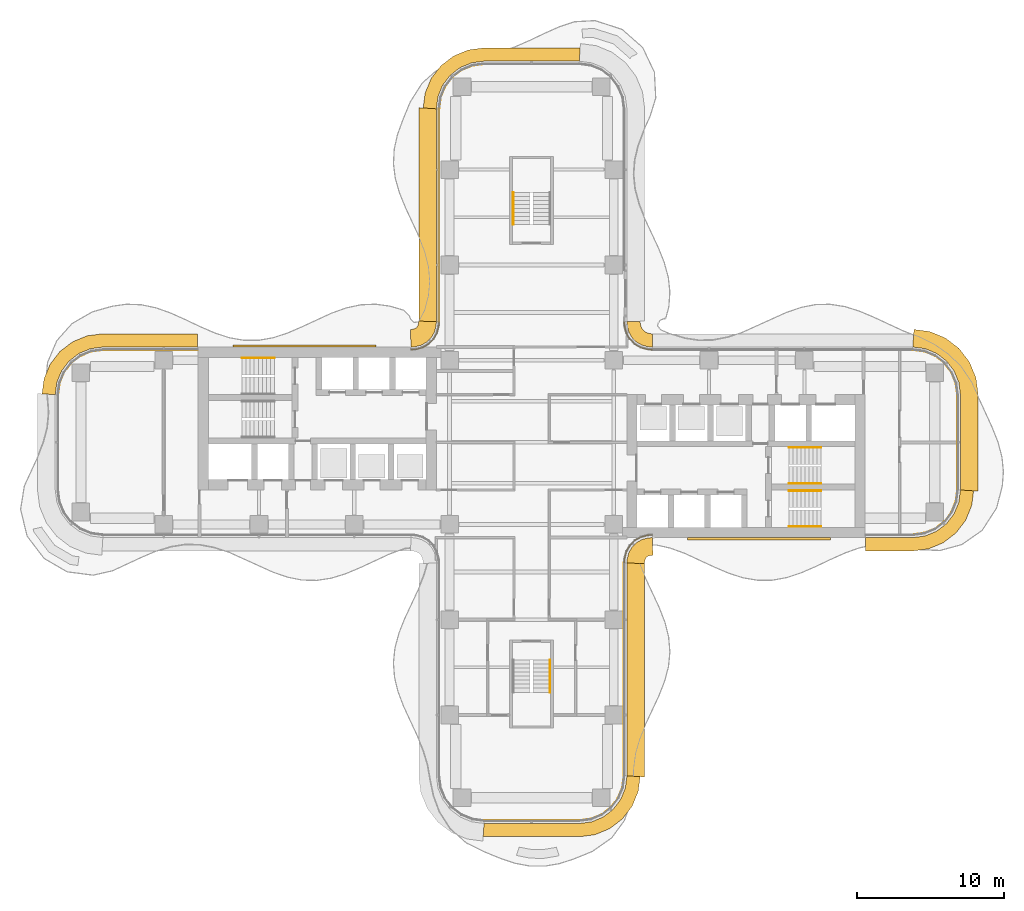
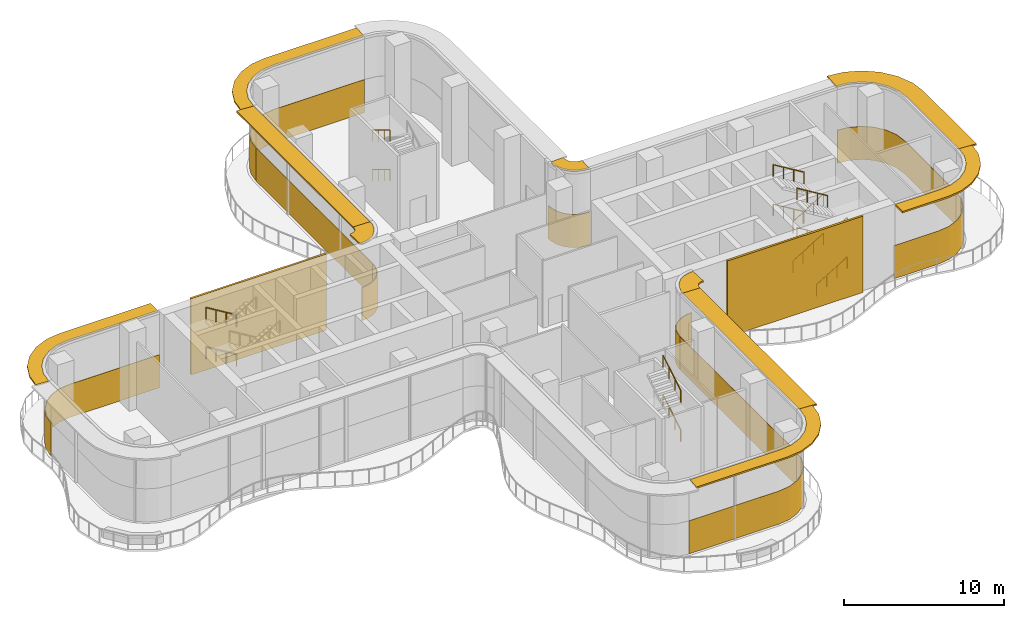
# One storey, part 17 of 19: 14 railings, 12 coverings, 10 shading devices, 10 elements without a shape of their own.
"""IFC4 building model written with IfcOpenShell, lengths in metres."""

from ifc_helpers import new_model, si_unit, direction, frame, origin, origin_2d, place, context, subcontext, project, spatial, polyline, circle, outline, extrude, source, transform, mapped, material, layer, layer_set, type_object, element, aggregate, save


model = new_model("IFC4")

# Units and contexts
model_context = context("Model", 3, precision=1e-05, world=origin(), true_north=direction((0.0, 1.0)))
body_context = subcontext(model_context, "Body", "Model", "MODEL_VIEW")
ifc_project = project(units=[si_unit("LENGTHUNIT", "METRE"), si_unit("AREAUNIT", "SQUARE_METRE"), si_unit("VOLUMEUNIT", "CUBIC_METRE"), si_unit("PLANEANGLEUNIT", "RADIAN"), si_unit("MASSUNIT", "GRAM", prefix="KILO")], contexts=[model_context])

# Site, building, storey
site_placement = place(None, origin())
site = spatial("IfcSite", under=ifc_project, at=site_placement, CompositionType="ELEMENT")
building_placement = place(site_placement, origin())
building = spatial("IfcBuilding", under=site, at=building_placement, Name="Trellis Farm Tower", CompositionType="ELEMENT")
storey_placement = place(building_placement, frame((0.0, 0.0, 156.0)))
storey = spatial("IfcBuildingStorey", under=building, at=storey_placement, Name="L33", CompositionType="ELEMENT", Elevation=156.0)

# Coverings
ifc_material_1 = material(Name="Perforated precast screen (cobogo)", Category="concrete")
ifc_layer_1 = layer(ifc_material_1, 0.14990234375)
ifc_layer_set_1 = layer_set([ifc_layer_1], Name="COBOGO SCREEN PANEL")
covering_type_1 = type_object("IfcCoveringType", Name="COBOGO SCREEN PANEL", PredefinedType="USERDEFINED", material=ifc_layer_set_1)
placement_1 = place(storey_placement, origin())
element("IfcCovering", 1, at=placement_1, inside=storey, type_object=covering_type_1, Name="SC1 01", ObjectType="SCREEN", PredefinedType="USERDEFINED", context=body_context, shape_type="SweptSolid", body=[
    extrude(outline(polyline([(10.630615234375, -6.64990234375), (20.380615234375, -6.64990234375), (20.380615234375, -6.5), (10.630615234375, -6.5), (10.630615234375, -6.64990234375)])), origin(), (0.0, 0.0, 1.0), 5.800048828125),
])
element("IfcCovering", 2, at=placement_1, inside=storey, type_object=covering_type_1, Name="SC1 02", ObjectType="SCREEN", PredefinedType="USERDEFINED", context=body_context, shape_type="SweptSolid", body=[
    extrude(outline(polyline([(-10.630615234375, 6.64990234375), (-20.380615234375, 6.64990234375), (-20.380615234375, 6.5), (-10.630615234375, 6.5), (-10.630615234375, 6.64990234375)])), origin(), (0.0, 0.0, 1.0), 5.800048828125),
])

# Curtain wall, covering
ifc_material_2 = material(Name="Aluminium and glass curtain wall", Category="aluminium")
ifc_layer_2 = layer(ifc_material_2, 0.196044921875)
ifc_layer_set_2 = layer_set([ifc_layer_2], Name="LOUVRED GLASS CURTAIN WALL CW6")
curtain_wall_type = type_object("IfcCurtainWallType", Name="LOUVRED GLASS CURTAIN WALL CW6", PredefinedType="NOTDEFINED", material=ifc_layer_set_2)
curtain_wall_1 = element("IfcCurtainWall", 3, at=placement_1, inside=storey, type_object=curtain_wall_type, Name="CW6 004", PredefinedType="NOTDEFINED")
ifc_material_3 = material(Name="Anodised aluminium louvre", Category="aluminium")
ifc_layer_3 = layer(ifc_material_3, 0.050048828125)
ifc_layer_set_3 = layer_set([ifc_layer_3], Name="CW6 LOUVRE BANK 50")
covering_type_2 = type_object("IfcCoveringType", Name="CW6 LOUVRE BANK 50", PredefinedType="USERDEFINED", material=ifc_layer_set_3)
covering_3 = element("IfcCovering", 4, at=placement_1, type_object=covering_type_2, Name="LV1 004", ObjectType="LOUVRE", PredefinedType="USERDEFINED", context=body_context, shape_type="SweptSolid", body=[
    extrude(outline(polyline([(-3.239501953125, -25.840087890625), (3.239501953125, -25.840087890625), (4.04931640625, -25.7333984375), (4.794189453125, -25.4248046875), (5.43408203125, -24.93408203125), (5.9248046875, -24.294189453125), (6.2333984375, -23.54931640625), (6.340087890625, -22.739501953125), (6.2900390625, -22.736328125), (6.1845703125, -23.536376953125), (5.881103515625, -24.26904296875), (5.3984375, -24.8984375), (4.76904296875, -25.381103515625), (4.036376953125, -25.6845703125), (3.236328125, -25.7900390625), (-3.236328125, -25.7900390625), (-3.239501953125, -25.840087890625)])), origin(), (0.0, 0.0, 1.0), 2.52001953125),
])
aggregate(curtain_wall_1, [covering_3])

curtain_wall_2 = element("IfcCurtainWall", 5, at=placement_1, inside=storey, type_object=curtain_wall_type, Name="CW6 005", PredefinedType="NOTDEFINED")
covering_4 = element("IfcCovering", 6, at=placement_1, type_object=covering_type_2, Name="LV1 005", ObjectType="LOUVRE", PredefinedType="USERDEFINED", context=body_context, shape_type="SweptSolid", body=[
    extrude(outline(polyline([(6.340087890625, -22.739501953125), (6.340087890625, -8.22607421875), (6.2900390625, -8.224609375), (6.2900390625, -22.736328125), (6.340087890625, -22.739501953125)])), origin(), (0.0, 0.0, 1.0), 2.52001953125),
])
aggregate(curtain_wall_2, [covering_4])

curtain_wall_3 = element("IfcCurtainWall", 7, at=placement_1, inside=storey, type_object=curtain_wall_type, Name="CW6 006", PredefinedType="NOTDEFINED")
covering_5 = element("IfcCovering", 8, at=placement_1, type_object=covering_type_2, Name="LV1 006", ObjectType="LOUVRE", PredefinedType="USERDEFINED", context=body_context, shape_type="SweptSolid", body=[
    extrude(outline(polyline([(6.340087890625, -8.22607421875), (6.3544921875, -8.00390625), (6.370361328125, -7.88427734375), (6.487548828125, -7.44677734375), (6.718994140625, -7.046142578125), (7.046142578125, -6.718994140625), (7.44677734375, -6.487548828125), (7.88427734375, -6.370361328125), (8.00390625, -6.3544921875), (8.22607421875, -6.340087890625), (8.224609375, -6.2900390625), (7.9990234375, -6.3046875), (7.87451171875, -6.321044921875), (7.427490234375, -6.44091796875), (7.015380859375, -6.678955078125), (6.678955078125, -7.015380859375), (6.44091796875, -7.427490234375), (6.321044921875, -7.87451171875), (6.3046875, -7.9990234375), (6.2900390625, -8.224609375), (6.340087890625, -8.22607421875)])), origin(), (0.0, 0.0, 1.0), 2.52001953125),
])
aggregate(curtain_wall_3, [covering_5])

curtain_wall_4 = element("IfcCurtainWall", 9, at=placement_1, inside=storey, type_object=curtain_wall_type, Name="CW6 007", PredefinedType="NOTDEFINED")
covering_6 = element("IfcCovering", 10, at=placement_1, type_object=covering_type_2, Name="LV1 007", ObjectType="LOUVRE", PredefinedType="USERDEFINED", context=body_context, shape_type="SweptSolid", body=[
    extrude(outline(polyline([(22.780029296875, -6.340087890625), (25.989501953125, -6.340087890625), (26.79931640625, -6.2333984375), (27.544189453125, -5.9248046875), (28.18408203125, -5.43408203125), (28.6748046875, -4.794189453125), (28.9833984375, -4.04931640625), (29.090087890625, -3.239501953125), (29.0400390625, -3.236328125), (28.9345703125, -4.036376953125), (28.631103515625, -4.76904296875), (28.1484375, -5.3984375), (27.51904296875, -5.881103515625), (26.786376953125, -6.1845703125), (25.986328125, -6.2900390625), (22.780029296875, -6.2900390625), (22.780029296875, -6.340087890625)])), origin(), (0.0, 0.0, 1.0), 2.52001953125),
])
aggregate(curtain_wall_4, [covering_6])

curtain_wall_5 = element("IfcCurtainWall", 11, at=placement_1, inside=storey, type_object=curtain_wall_type, Name="CW6 008", PredefinedType="NOTDEFINED")
covering_7 = element("IfcCovering", 12, at=placement_1, type_object=covering_type_2, Name="LV1 008", ObjectType="LOUVRE", PredefinedType="USERDEFINED", context=body_context, shape_type="SweptSolid", body=[
    extrude(outline(polyline([(29.090087890625, -3.239501953125), (29.090087890625, 3.239501953125), (28.9833984375, 4.04931640625), (28.6748046875, 4.794189453125), (28.18408203125, 5.43408203125), (27.544189453125, 5.9248046875), (26.79931640625, 6.2333984375), (25.989501953125, 6.340087890625), (25.986328125, 6.2900390625), (26.786376953125, 6.1845703125), (27.51904296875, 5.881103515625), (28.1484375, 5.3984375), (28.631103515625, 4.76904296875), (28.9345703125, 4.036376953125), (29.0400390625, 3.236328125), (29.0400390625, -3.236328125), (29.090087890625, -3.239501953125)])), origin(), (0.0, 0.0, 1.0), 2.52001953125),
])
aggregate(curtain_wall_5, [covering_7])

curtain_wall_6 = element("IfcCurtainWall", 13, at=placement_1, inside=storey, type_object=curtain_wall_type, Name="CW6 010", PredefinedType="NOTDEFINED")
covering_8 = element("IfcCovering", 14, at=placement_1, type_object=covering_type_2, Name="LV1 010", ObjectType="LOUVRE", PredefinedType="USERDEFINED", context=body_context, shape_type="SweptSolid", body=[
    extrude(outline(polyline([(8.22607421875, 6.340087890625), (8.00390625, 6.3544921875), (7.88427734375, 6.370361328125), (7.44677734375, 6.487548828125), (7.046142578125, 6.718994140625), (6.718994140625, 7.046142578125), (6.487548828125, 7.44677734375), (6.370361328125, 7.88427734375), (6.3544921875, 8.00390625), (6.340087890625, 8.22607421875), (6.2900390625, 8.224609375), (6.3046875, 7.9990234375), (6.321044921875, 7.87451171875), (6.44091796875, 7.427490234375), (6.678955078125, 7.015380859375), (7.015380859375, 6.678955078125), (7.427490234375, 6.44091796875), (7.87451171875, 6.321044921875), (7.9990234375, 6.3046875), (8.224609375, 6.2900390625), (8.22607421875, 6.340087890625)])), origin(), (0.0, 0.0, 1.0), 2.52001953125),
])
aggregate(curtain_wall_6, [covering_8])

curtain_wall_7 = element("IfcCurtainWall", 15, at=placement_1, inside=storey, type_object=curtain_wall_type, Name="CW6 013", PredefinedType="NOTDEFINED")
covering_9 = element("IfcCovering", 16, at=placement_1, type_object=covering_type_2, Name="LV1 013", ObjectType="LOUVRE", PredefinedType="USERDEFINED", context=body_context, shape_type="SweptSolid", body=[
    extrude(outline(polyline([(3.239501953125, 25.840087890625), (-3.239501953125, 25.840087890625), (-4.04931640625, 25.7333984375), (-4.794189453125, 25.4248046875), (-5.43408203125, 24.93408203125), (-5.9248046875, 24.294189453125), (-6.2333984375, 23.54931640625), (-6.340087890625, 22.739501953125), (-6.2900390625, 22.736328125), (-6.1845703125, 23.536376953125), (-5.881103515625, 24.26904296875), (-5.3984375, 24.8984375), (-4.76904296875, 25.381103515625), (-4.036376953125, 25.6845703125), (-3.236328125, 25.7900390625), (3.236328125, 25.7900390625), (3.239501953125, 25.840087890625)])), origin(), (0.0, 0.0, 1.0), 2.52001953125),
])
aggregate(curtain_wall_7, [covering_9])

curtain_wall_8 = element("IfcCurtainWall", 17, at=placement_1, inside=storey, type_object=curtain_wall_type, Name="CW6 014", PredefinedType="NOTDEFINED")
covering_10 = element("IfcCovering", 18, at=placement_1, type_object=covering_type_2, Name="LV1 014", ObjectType="LOUVRE", PredefinedType="USERDEFINED", context=body_context, shape_type="SweptSolid", body=[
    extrude(outline(polyline([(-6.340087890625, 22.739501953125), (-6.340087890625, 8.22607421875), (-6.2900390625, 8.224609375), (-6.2900390625, 22.736328125), (-6.340087890625, 22.739501953125)])), origin(), (0.0, 0.0, 1.0), 2.52001953125),
])
aggregate(curtain_wall_8, [covering_10])

curtain_wall_9 = element("IfcCurtainWall", 19, at=placement_1, inside=storey, type_object=curtain_wall_type, Name="CW6 015", PredefinedType="NOTDEFINED")
covering_11 = element("IfcCovering", 20, at=placement_1, type_object=covering_type_2, Name="LV1 015", ObjectType="LOUVRE", PredefinedType="USERDEFINED", context=body_context, shape_type="SweptSolid", body=[
    extrude(outline(polyline([(-6.340087890625, 8.22607421875), (-6.3544921875, 8.00390625), (-6.370361328125, 7.88427734375), (-6.487548828125, 7.44677734375), (-6.718994140625, 7.046142578125), (-7.046142578125, 6.718994140625), (-7.44677734375, 6.487548828125), (-7.88427734375, 6.370361328125), (-8.00390625, 6.3544921875), (-8.22607421875, 6.340087890625), (-8.224609375, 6.2900390625), (-7.9990234375, 6.3046875), (-7.87451171875, 6.321044921875), (-7.427490234375, 6.44091796875), (-7.015380859375, 6.678955078125), (-6.678955078125, 7.015380859375), (-6.44091796875, 7.427490234375), (-6.321044921875, 7.87451171875), (-6.3046875, 7.9990234375), (-6.2900390625, 8.224609375), (-6.340087890625, 8.22607421875)])), origin(), (0.0, 0.0, 1.0), 2.52001953125),
])
aggregate(curtain_wall_9, [covering_11])

curtain_wall_10 = element("IfcCurtainWall", 21, at=placement_1, inside=storey, type_object=curtain_wall_type, Name="CW6 016", PredefinedType="NOTDEFINED")
covering_12 = element("IfcCovering", 22, at=placement_1, type_object=covering_type_2, Name="LV1 016", ObjectType="LOUVRE", PredefinedType="USERDEFINED", context=body_context, shape_type="SweptSolid", body=[
    extrude(outline(polyline([(-22.780029296875, 6.340087890625), (-29.239501953125, 6.340087890625), (-30.04931640625, 6.2333984375), (-30.794189453125, 5.9248046875), (-31.43408203125, 5.43408203125), (-31.9248046875, 4.794189453125), (-32.2333984375, 4.04931640625), (-32.340087890625, 3.239501953125), (-32.2900390625, 3.236328125), (-32.1845703125, 4.036376953125), (-31.881103515625, 4.76904296875), (-31.3984375, 5.3984375), (-30.76904296875, 5.881103515625), (-30.036376953125, 6.1845703125), (-29.236328125, 6.2900390625), (-22.780029296875, 6.2900390625), (-22.780029296875, 6.340087890625)])), origin(), (0.0, 0.0, 1.0), 2.52001953125),
])
aggregate(curtain_wall_10, [covering_12])

# Railings
ifc_material_4 = material(Name="Stainless steel", Category="steel")
railing_type = type_object("IfcRailingType", Name="STAIR HANDRAIL 900", PredefinedType="HANDRAIL", material=ifc_material_4)
shared_shape_1 = source(origin(), body_context, "Body", "SweptSolid", [
    extrude(circle(Radius=0.02392578125, at=origin_2d()), frame((0.0, 0.0, 0.8759765625), z_axis=(0.0, 0.85520675485, 0.518286992369), x_axis=(-1.0, 0.0, 0.0)), (0.0, 0.0, 1.0), 2.572509765625),
    extrude(circle(Radius=0.02099609375, at=origin_2d()), origin(), (0.0, 0.0, 1.0), 0.851806640625),
    extrude(circle(Radius=0.02099609375, at=origin_2d()), frame((0.0, 0.7333984375, 0.4443359375)), (0.0, 0.0, 1.0), 0.851806640625),
    extrude(circle(Radius=0.02099609375, at=origin_2d()), frame((0.0, 1.466552734375, 0.888916015625)), (0.0, 0.0, 1.0), 0.851806640625),
    extrude(circle(Radius=0.02099609375, at=origin_2d()), frame((0.0, 2.199951171875, 1.333251953125)), (0.0, 0.0, 1.0), 0.851806640625),
])
for number, where, name in (
    (23, (1.25, -17.050048828125, 1.666748046875), "Stair handrail"),
    (24, (1.25, -17.050048828125, 4.666748046875), "Stair handrail"),
):
    element("IfcRailing", number, at=place(storey_placement, frame(where)), inside=storey, type_object=railing_type, Name=name, PredefinedType="HANDRAIL", context=body_context, shape_type="MappedRepresentation", body=[
        mapped(shared_shape_1, transform((0.0, 0.0, 0.0))),
    ])
shared_shape_2 = source(origin(), body_context, "Body", "SweptSolid", [
    extrude(circle(Radius=0.02392578125, at=origin_2d()), frame((0.0, 0.0, 0.8759765625), z_axis=(0.0, -0.85520675485, 0.518286992369), x_axis=(1.0, 0.0, 0.0)), (0.0, 0.0, 1.0), 2.572509765625),
    extrude(circle(Radius=0.02099609375, at=origin_2d()), origin(), (0.0, 0.0, 1.0), 0.851806640625),
    extrude(circle(Radius=0.02099609375, at=origin_2d()), frame((0.0, -0.7333984375, 0.4443359375)), (0.0, 0.0, 1.0), 0.851806640625),
    extrude(circle(Radius=0.02099609375, at=origin_2d()), frame((0.0, -1.466552734375, 0.888916015625)), (0.0, 0.0, 1.0), 0.851806640625),
    extrude(circle(Radius=0.02099609375, at=origin_2d()), frame((0.0, -2.199951171875, 1.333251953125)), (0.0, 0.0, 1.0), 0.851806640625),
])
for number, where, name in (
    (25, (-1.25, 17.050048828125, 1.666748046875), "Stair handrail"),
    (26, (-1.25, 17.050048828125, 4.666748046875), "Stair handrail"),
):
    element("IfcRailing", number, at=place(storey_placement, frame(where)), inside=storey, type_object=railing_type, Name=name, PredefinedType="HANDRAIL", context=body_context, shape_type="MappedRepresentation", body=[
        mapped(shared_shape_2, transform((0.0, 0.0, 0.0))),
    ])
shared_shape_3 = source(origin(), body_context, "Body", "SweptSolid", [
    extrude(circle(Radius=0.02392578125, at=origin_2d()), frame((0.0, 0.0, 0.8759765625), z_axis=(0.85520675485, 0.0, 0.518286992369), x_axis=(0.0, 1.0, 0.0)), (0.0, 0.0, 1.0), 2.572509765625),
    extrude(circle(Radius=0.02099609375, at=origin_2d()), origin(), (0.0, 0.0, 1.0), 0.851806640625),
    extrude(circle(Radius=0.02099609375, at=origin_2d()), frame((0.7333984375, 0.0, 0.4443359375)), (0.0, 0.0, 1.0), 0.851806640625),
    extrude(circle(Radius=0.02099609375, at=origin_2d()), frame((1.466552734375, 0.0, 0.888916015625)), (0.0, 0.0, 1.0), 0.851806640625),
    extrude(circle(Radius=0.02099609375, at=origin_2d()), frame((2.199951171875, 0.0, 1.333251953125)), (0.0, 0.0, 1.0), 0.851806640625),
])
for number, where, name in (
    (27, (17.550048828125, -5.75, 0.166748046875), "Stair handrail"),
    (28, (17.550048828125, -5.75, 3.166748046875), "Stair handrail"),
    (29, (17.550048828125, -2.800048828125, 0.166748046875), "Stair handrail"),
    (30, (17.550048828125, -2.800048828125, 3.166748046875), "Stair handrail"),
):
    element("IfcRailing", number, at=place(storey_placement, frame(where)), inside=storey, type_object=railing_type, Name=name, PredefinedType="HANDRAIL", context=body_context, shape_type="MappedRepresentation", body=[
        mapped(shared_shape_3, transform((0.0, 0.0, 0.0))),
    ])
shared_shape_4 = source(origin(), body_context, "Body", "SweptSolid", [
    extrude(circle(Radius=0.02392578125, at=origin_2d()), frame((0.0, 0.0, 0.8759765625), z_axis=(-0.85520675485, 0.0, 0.518286992369), x_axis=(0.0, -1.0, 0.0)), (0.0, 0.0, 1.0), 2.572509765625),
    extrude(circle(Radius=0.02099609375, at=origin_2d()), origin(), (0.0, 0.0, 1.0), 0.851806640625),
    extrude(circle(Radius=0.02099609375, at=origin_2d()), frame((-0.7333984375, 0.0, 0.4443359375)), (0.0, 0.0, 1.0), 0.851806640625),
    extrude(circle(Radius=0.02099609375, at=origin_2d()), frame((-1.466552734375, 0.0, 0.888916015625)), (0.0, 0.0, 1.0), 0.851806640625),
    extrude(circle(Radius=0.02099609375, at=origin_2d()), frame((-2.199951171875, 0.0, 1.333251953125)), (0.0, 0.0, 1.0), 0.851806640625),
])
for number, where, name in (
    (31, (19.75, -3.300048828125, 1.666748046875), "Stair handrail"),
    (32, (19.75, -3.300048828125, 4.666748046875), "Stair handrail"),
    (33, (19.75, -0.35009765625, 1.666748046875), "Stair handrail"),
    (34, (19.75, -0.35009765625, 4.666748046875), "Stair handrail"),
    (35, (-17.550048828125, 5.75, 0.166748046875), "Stair handrail"),
    (36, (-17.550048828125, 5.75, 3.166748046875), "Stair handrail"),
):
    element("IfcRailing", number, at=place(storey_placement, frame(where)), inside=storey, type_object=railing_type, Name=name, PredefinedType="HANDRAIL", context=body_context, shape_type="MappedRepresentation", body=[
        mapped(shared_shape_4, transform((0.0, 0.0, 0.0))),
    ])

# Shading devices
ifc_material_5 = material(Name="Aluminium extrusion 6063-T6", Category="aluminium")
ifc_layer_4 = layer(ifc_material_5, 0.1201171875)
ifc_layer_set_4 = layer_set([ifc_layer_4], Name="SUNSHADE BLADE 900")
shading_device_type_1 = type_object("IfcShadingDeviceType", Name="SUNSHADE BLADE 900", PredefinedType="USERDEFINED", material=ifc_layer_set_4)
shared_shape_5 = source(origin(), body_context, "Body", "SweptSolid", [
    extrude(outline(polyline([(-3.30908203125, -26.89990234375), (3.30908203125, -26.89990234375), (4.326171875, -26.76611328125), (5.328857421875, -26.350830078125), (6.18994140625, -25.68994140625), (6.850830078125, -24.828857421875), (7.26611328125, -23.826171875), (7.39990234375, -22.80908203125), (6.5, -22.75), (6.38916015625, -23.591064453125), (6.064697265625, -24.375), (5.548095703125, -25.048095703125), (4.875, -25.564697265625), (4.091064453125, -25.88916015625), (3.25, -26.0), (-3.25, -26.0), (-3.30908203125, -26.89990234375)])), origin(), (0.0, 0.0, 1.0), 0.1201171875),
])
placement_2 = place(storey_placement, frame((0.0, 0.0, 5.639892578125)))
element("IfcShadingDevice", 37, at=placement_2, inside=storey, type_object=shading_device_type_1, Name="SD1 004", ObjectType="SUNSHADE", PredefinedType="USERDEFINED", context=body_context, shape_type="MappedRepresentation", body=[
    mapped(shared_shape_5, transform((0.0, 0.0, 0.0))),
])
ifc_layer_5 = layer(ifc_material_5, 0.1201171875)
ifc_layer_set_5 = layer_set([ifc_layer_5], Name="SUNSHADE BLADE 1200")
shading_device_type_2 = type_object("IfcShadingDeviceType", Name="SUNSHADE BLADE 1200", PredefinedType="USERDEFINED", material=ifc_layer_set_5)
shared_shape_6 = source(origin(), body_context, "Body", "SweptSolid", [
    extrude(outline(polyline([(7.699951171875, -22.82861328125), (7.699951171875, -8.270751953125), (6.5, -8.2314453125), (6.5, -22.75), (7.699951171875, -22.82861328125)])), origin(), (0.0, 0.0, 1.0), 0.1201171875),
])
element("IfcShadingDevice", 38, at=placement_2, inside=storey, type_object=shading_device_type_2, Name="SD2 005", ObjectType="SUNSHADE", PredefinedType="USERDEFINED", context=body_context, shape_type="MappedRepresentation", body=[
    mapped(shared_shape_6, transform((0.0, 0.0, 0.0))),
])
shared_shape_7 = source(origin(), body_context, "Body", "SweptSolid", [
    extrude(outline(polyline([(7.699951171875, -8.270751953125), (7.708740234375, -8.13720703125), (7.70703125, -8.150146484375), (7.7548828125, -7.9716796875), (7.80712890625, -7.881103515625), (7.881103515625, -7.80712890625), (7.9716796875, -7.7548828125), (8.150146484375, -7.70703125), (8.13720703125, -7.708740234375), (8.270751953125, -7.699951171875), (8.2314453125, -6.5), (8.01953125, -6.513916015625), (7.91552734375, -6.527587890625), (7.508544921875, -6.63671875), (7.144287109375, -6.846923828125), (6.846923828125, -7.144287109375), (6.63671875, -7.508544921875), (6.527587890625, -7.91552734375), (6.513916015625, -8.01953125), (6.5, -8.2314453125), (7.699951171875, -8.270751953125)])), origin(), (0.0, 0.0, 1.0), 0.1201171875),
])
element("IfcShadingDevice", 39, at=placement_2, inside=storey, type_object=shading_device_type_2, Name="SD2 006", ObjectType="SUNSHADE", PredefinedType="USERDEFINED", context=body_context, shape_type="MappedRepresentation", body=[
    mapped(shared_shape_7, transform((0.0, 0.0, 0.0))),
])
shared_shape_8 = source(origin(), body_context, "Body", "SweptSolid", [
    extrude(outline(polyline([(22.780029296875, -7.39990234375), (26.05908203125, -7.39990234375), (27.076171875, -7.26611328125), (28.078857421875, -6.850830078125), (28.93994140625, -6.18994140625), (29.600830078125, -5.328857421875), (30.01611328125, -4.326171875), (30.14990234375, -3.30908203125), (29.25, -3.25), (29.13916015625, -4.091064453125), (28.814697265625, -4.875), (28.298095703125, -5.548095703125), (27.625, -6.064697265625), (26.841064453125, -6.38916015625), (26.0, -6.5), (22.780029296875, -6.5), (22.780029296875, -7.39990234375)])), origin(), (0.0, 0.0, 1.0), 0.1201171875),
])
element("IfcShadingDevice", 40, at=placement_2, inside=storey, type_object=shading_device_type_1, Name="SD1 007", ObjectType="SUNSHADE", PredefinedType="USERDEFINED", context=body_context, shape_type="MappedRepresentation", body=[
    mapped(shared_shape_8, transform((0.0, 0.0, 0.0))),
])
shared_shape_9 = source(origin(), body_context, "Body", "SweptSolid", [
    extrude(outline(polyline([(30.449951171875, -3.32861328125), (30.449951171875, 3.32861328125), (30.308349609375, 4.404541015625), (29.86279296875, 5.480224609375), (29.154052734375, 6.404052734375), (28.230224609375, 7.11279296875), (27.154541015625, 7.558349609375), (26.07861328125, 7.699951171875), (26.0, 6.5), (26.841064453125, 6.38916015625), (27.625, 6.064697265625), (28.298095703125, 5.548095703125), (28.814697265625, 4.875), (29.13916015625, 4.091064453125), (29.25, 3.25), (29.25, -3.25), (30.449951171875, -3.32861328125)])), origin(), (0.0, 0.0, 1.0), 0.1201171875),
])
element("IfcShadingDevice", 41, at=placement_2, inside=storey, type_object=shading_device_type_2, Name="SD2 008", ObjectType="SUNSHADE", PredefinedType="USERDEFINED", context=body_context, shape_type="MappedRepresentation", body=[
    mapped(shared_shape_9, transform((0.0, 0.0, 0.0))),
])
shared_shape_10 = source(origin(), body_context, "Body", "SweptSolid", [
    extrude(outline(polyline([(8.2607421875, 7.39990234375), (8.107666015625, 7.409912109375), (8.091552734375, 7.412109375), (7.85595703125, 7.475341796875), (7.697021484375, 7.567138671875), (7.567138671875, 7.697021484375), (7.475341796875, 7.85595703125), (7.412109375, 8.091552734375), (7.409912109375, 8.107666015625), (7.39990234375, 8.2607421875), (6.5, 8.2314453125), (6.513916015625, 8.01953125), (6.527587890625, 7.91552734375), (6.63671875, 7.508544921875), (6.846923828125, 7.144287109375), (7.144287109375, 6.846923828125), (7.508544921875, 6.63671875), (7.91552734375, 6.527587890625), (8.01953125, 6.513916015625), (8.2314453125, 6.5), (8.2607421875, 7.39990234375)])), origin(), (0.0, 0.0, 1.0), 0.1201171875),
])
element("IfcShadingDevice", 42, at=placement_2, inside=storey, type_object=shading_device_type_1, Name="SD1 010", ObjectType="SUNSHADE", PredefinedType="USERDEFINED", context=body_context, shape_type="MappedRepresentation", body=[
    mapped(shared_shape_10, transform((0.0, 0.0, 0.0))),
])
shared_shape_11 = source(origin(), body_context, "Body", "SweptSolid", [
    extrude(outline(polyline([(3.30908203125, 26.89990234375), (-3.30908203125, 26.89990234375), (-4.326171875, 26.76611328125), (-5.328857421875, 26.350830078125), (-6.18994140625, 25.68994140625), (-6.850830078125, 24.828857421875), (-7.26611328125, 23.826171875), (-7.39990234375, 22.80908203125), (-6.5, 22.75), (-6.38916015625, 23.591064453125), (-6.064697265625, 24.375), (-5.548095703125, 25.048095703125), (-4.875, 25.564697265625), (-4.091064453125, 25.88916015625), (-3.25, 26.0), (3.25, 26.0), (3.30908203125, 26.89990234375)])), origin(), (0.0, 0.0, 1.0), 0.1201171875),
])
element("IfcShadingDevice", 43, at=placement_2, inside=storey, type_object=shading_device_type_1, Name="SD1 012", ObjectType="SUNSHADE", PredefinedType="USERDEFINED", context=body_context, shape_type="MappedRepresentation", body=[
    mapped(shared_shape_11, transform((0.0, 0.0, 0.0))),
])
shared_shape_12 = source(origin(), body_context, "Body", "SweptSolid", [
    extrude(outline(polyline([(-7.699951171875, 22.82861328125), (-7.699951171875, 8.270751953125), (-6.5, 8.2314453125), (-6.5, 22.75), (-7.699951171875, 22.82861328125)])), origin(), (0.0, 0.0, 1.0), 0.1201171875),
])
element("IfcShadingDevice", 44, at=placement_2, inside=storey, type_object=shading_device_type_2, Name="SD2 013", ObjectType="SUNSHADE", PredefinedType="USERDEFINED", context=body_context, shape_type="MappedRepresentation", body=[
    mapped(shared_shape_12, transform((0.0, 0.0, 0.0))),
])
shared_shape_13 = source(origin(), body_context, "Body", "SweptSolid", [
    extrude(outline(polyline([(-7.699951171875, 8.270751953125), (-7.708740234375, 8.13720703125), (-7.70703125, 8.150146484375), (-7.7548828125, 7.9716796875), (-7.80712890625, 7.881103515625), (-7.881103515625, 7.80712890625), (-7.9716796875, 7.7548828125), (-8.150146484375, 7.70703125), (-8.13720703125, 7.708740234375), (-8.270751953125, 7.699951171875), (-8.2314453125, 6.5), (-8.01953125, 6.513916015625), (-7.91552734375, 6.527587890625), (-7.508544921875, 6.63671875), (-7.144287109375, 6.846923828125), (-6.846923828125, 7.144287109375), (-6.63671875, 7.508544921875), (-6.527587890625, 7.91552734375), (-6.513916015625, 8.01953125), (-6.5, 8.2314453125), (-7.699951171875, 8.270751953125)])), origin(), (0.0, 0.0, 1.0), 0.1201171875),
])
element("IfcShadingDevice", 45, at=placement_2, inside=storey, type_object=shading_device_type_2, Name="SD2 014", ObjectType="SUNSHADE", PredefinedType="USERDEFINED", context=body_context, shape_type="MappedRepresentation", body=[
    mapped(shared_shape_13, transform((0.0, 0.0, 0.0))),
])
shared_shape_14 = source(origin(), body_context, "Body", "SweptSolid", [
    extrude(outline(polyline([(-22.780029296875, 7.39990234375), (-29.30908203125, 7.39990234375), (-30.326171875, 7.26611328125), (-31.328857421875, 6.850830078125), (-32.18994140625, 6.18994140625), (-32.850830078125, 5.328857421875), (-33.26611328125, 4.326171875), (-33.39990234375, 3.30908203125), (-32.5, 3.25), (-32.38916015625, 4.091064453125), (-32.064697265625, 4.875), (-31.548095703125, 5.548095703125), (-30.875, 6.064697265625), (-30.091064453125, 6.38916015625), (-29.25, 6.5), (-22.780029296875, 6.5), (-22.780029296875, 7.39990234375)])), origin(), (0.0, 0.0, 1.0), 0.1201171875),
])
element("IfcShadingDevice", 46, at=placement_2, inside=storey, type_object=shading_device_type_1, Name="SD1 015", ObjectType="SUNSHADE", PredefinedType="USERDEFINED", context=body_context, shape_type="MappedRepresentation", body=[
    mapped(shared_shape_14, transform((0.0, 0.0, 0.0))),
])

save(model, "model.ifc")
